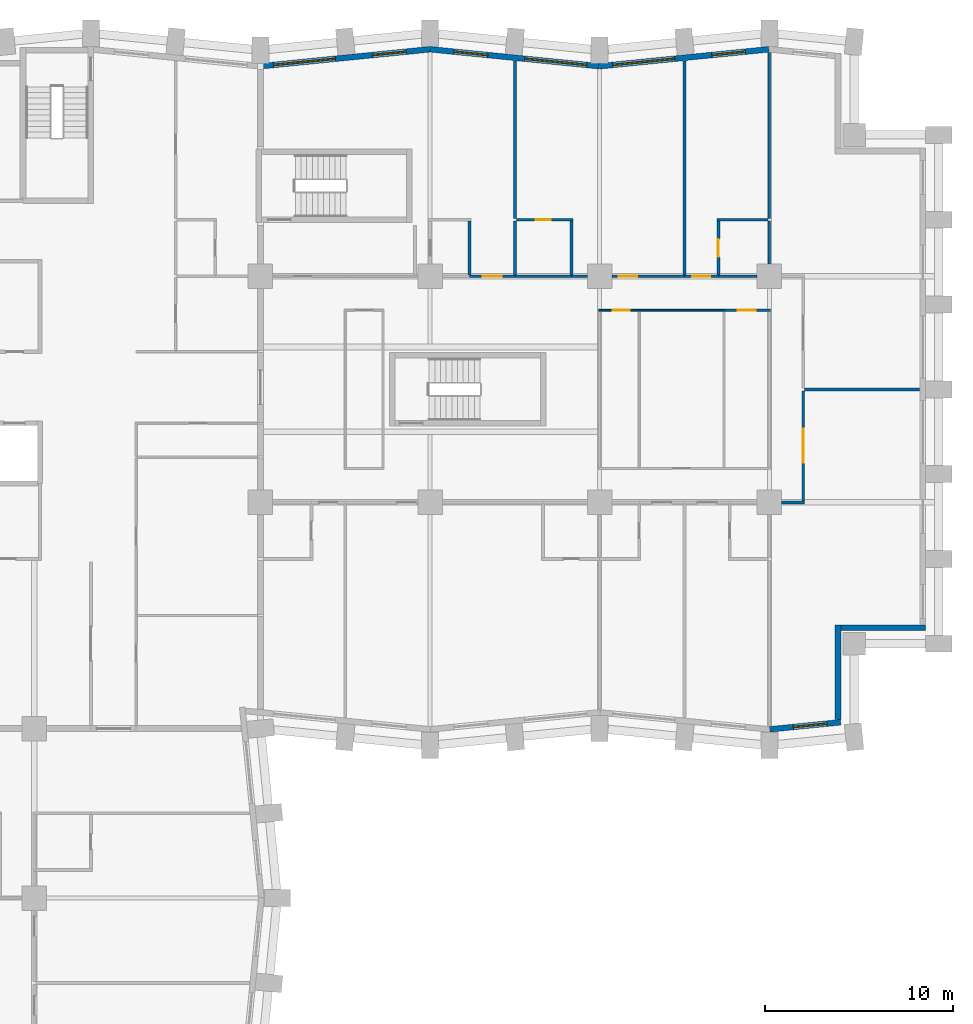
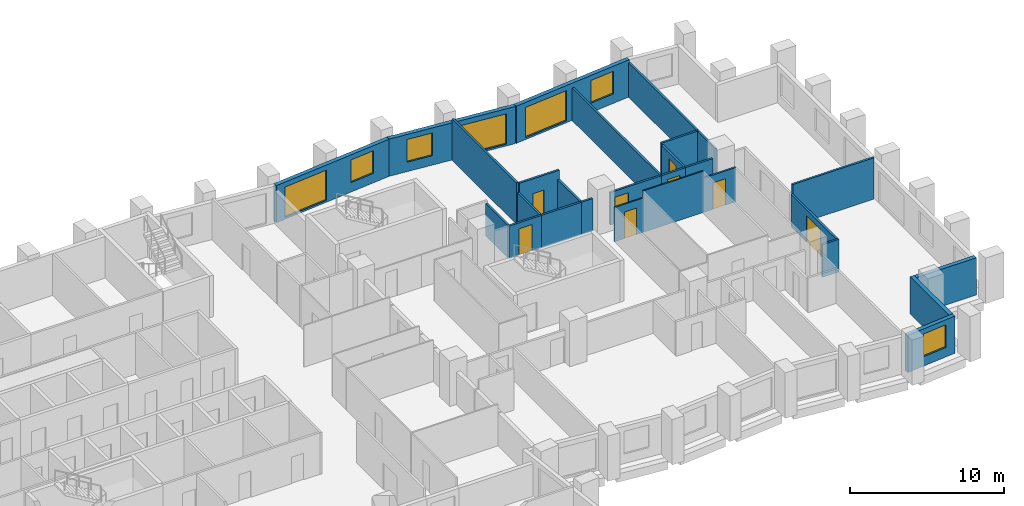
# One storey, part 9 of 12: 28 walls, 8 doors, 7 windows, 15 openings.
"""IFC4 building model written with IfcOpenShell, lengths in metres."""

from ifc_helpers import new_model, si_unit, direction, frame, frame_2d, origin, place, context, subcontext, project, spatial, rectangle, extrude, material, layer, layer_set, type_object, element, fill, save


model = new_model("IFC4")

# Units and contexts
model_context = context("Model", 3, precision=1e-05, world=origin(), true_north=direction((0.0, 1.0)))
body_context = subcontext(model_context, "Body", "Model", "MODEL_VIEW")
ifc_project = project(units=[si_unit("LENGTHUNIT", "METRE"), si_unit("AREAUNIT", "SQUARE_METRE"), si_unit("VOLUMEUNIT", "CUBIC_METRE"), si_unit("PLANEANGLEUNIT", "RADIAN"), si_unit("MASSUNIT", "GRAM", prefix="KILO")], contexts=[model_context])

# Site, building, storey
site_placement = place(None, origin())
site = spatial("IfcSite", under=ifc_project, at=site_placement, CompositionType="ELEMENT")
building_placement = place(site_placement, origin())
building = spatial("IfcBuilding", under=site, at=building_placement, Name="Brondeck Convention Tower", CompositionType="ELEMENT")
storey_placement = place(building_placement, frame((0.0, 0.0, 66.300048828125)))
storey = spatial("IfcBuildingStorey", under=building, at=storey_placement, Name="L14", CompositionType="ELEMENT", Elevation=66.300048828125)

# Wall, opening, window
ifc_material_1 = material(Name="Precast concrete C50/60 bronze finish", Category="concrete")
ifc_layer_1 = layer(ifc_material_1, 0.070068359375, Name="Bronze precast facing")
ifc_material_2 = material(Name="Mineral wool")
ifc_layer_2 = layer(ifc_material_2, 0.159912109375, Name="Insulation")
ifc_material_3 = material(Name="Concrete C35/45", Category="concrete")
ifc_layer_3 = layer(ifc_material_3, 0.070068359375, Name="Backing")
ifc_layer_set_1 = layer_set([ifc_layer_1, ifc_layer_2, ifc_layer_3], Name="External infill wall, precast concrete C50/60 bronze facing")
wall_type_1 = type_object("IfcWallType", Name="External infill wall, precast concrete C50/60 bronze facing", PredefinedType="SOLIDWALL", material=ifc_layer_set_1)
wall_1_placement = place(storey_placement, frame((66.78515625, 27.332763671875, 0.0), z_axis=(0.0, 0.0, 1.0), x_axis=(-0.995038471088, -0.099490909409, 0.0)))
wall_1 = element("IfcWall", 1, at=wall_1_placement, inside=storey, type_object=wall_type_1, Name="ENV-EW-L14-P0-A-S-06", PredefinedType="SOLIDWALL", context=body_context, shape_type="SweptSolid", body=[
    extrude(rectangle(XDim=3.774169921875, YDim=0.300048828125, at=frame_2d((1.88720703125, 0.0))), origin(), (0.0, 0.0, 1.0), 2.949951171875),
])
opening_1_placement = place(wall_1_placement, frame((0.727783203125, 0.0, 0.75)))
opening_1 = element("IfcOpeningElement", 2, at=opening_1_placement, cuts=wall_1, Name="Opening W10", PredefinedType="OPENING", context=body_context, shape_type="SweptSolid", body=[
    extrude(rectangle(XDim=1.800048828125, YDim=1.800048828125, at=frame_2d((0.89990234375, 0.89990234375))), frame((0.0, 0.159912109375, 0.0), z_axis=(0.0, -1.0, 0.0), x_axis=(1.0, 0.0, 0.0)), (0.0, 0.0, 1.0), 0.320068359375),
])
ifc_material_4 = material(Name="Bronze tinted double glazing", Category="glass")
window_type_1 = type_object("IfcWindowType", Name="Punched window, bronze tinted", PartitioningType="SINGLE_PANEL", PredefinedType="WINDOW", material=ifc_material_4)
window_1_placement = place(opening_1_placement, origin())
window_1 = element("IfcWindow", 3, at=window_1_placement, inside=storey, type_object=window_type_1, Name="ENV-WN-L14-P0-A-S-06", OverallHeight=1.800048828125, OverallWidth=1.800048828125, PartitioningType="SINGLE_PANEL", PredefinedType="WINDOW", context=body_context, shape_type="SweptSolid", body=[
    extrude(rectangle(XDim=1.800048828125, YDim=1.800048828125, at=frame_2d((0.89990234375, 0.89990234375))), frame((0.0, 0.030029296875, 0.0), z_axis=(0.0, -1.0, 0.0), x_axis=(1.0, 0.0, 0.0)), (0.0, 0.0, 1.0), 0.06005859375),
])
fill(opening_1, window_1)

# Walls
wall_2_placement = place(storey_placement, frame((66.64990234375, 32.5, 0.0), z_axis=(0.0, 0.0, 1.0), x_axis=(0.0, -1.0, 0.0)))
element("IfcWall", 4, at=wall_2_placement, inside=storey, type_object=wall_type_1, Name="ENV-EW-L14-P0-NC-SEA72-01", PredefinedType="SOLIDWALL", context=body_context, shape_type="SweptSolid", body=[
    extrude(rectangle(XDim=5.02880859375, YDim=0.300048828125, at=frame_2d((2.514404296875, 0.0))), origin(), (0.0, 0.0, 1.0), 2.949951171875),
])
wall_3_placement = place(storey_placement, frame((71.300048828125, 32.35009765625, 0.0), z_axis=(0.0, 0.0, 1.0), x_axis=(-1.0, 0.0, 0.0)))
element("IfcWall", 5, at=wall_3_placement, inside=storey, type_object=wall_type_1, Name="ENV-EW-L14-P0-NC-SEA72-02", PredefinedType="SOLIDWALL", context=body_context, shape_type="SweptSolid", body=[
    extrude(rectangle(XDim=4.5, YDim=0.300048828125, at=frame_2d((2.25, 0.0))), origin(), (0.0, 0.0, 1.0), 2.949951171875),
])

# Wall, openings, windows
wall_4_placement = place(storey_placement, frame((53.985107421875, 62.144287109375, 0.0), z_axis=(0.0, 0.0, 1.0), x_axis=(0.995037993253, 0.099495688264, 0.0)))
wall_4 = element("IfcWall", 6, at=wall_4_placement, inside=storey, type_object=wall_type_1, Name="ENV-EW-L14-P0-A-N-13", PredefinedType="SOLIDWALL", context=body_context, shape_type="SweptSolid", body=[
    extrude(rectangle(XDim=9.030029296875, YDim=0.300048828125, at=frame_2d((4.51513671875, 0.0))), origin(), (0.0, 0.0, 1.0), 2.949951171875),
])
opening_2_placement = place(wall_4_placement, frame((0.711181640625, 0.0, 0.14990234375)))
opening_2 = element("IfcOpeningElement", 7, at=opening_2_placement, cuts=wall_4, Name="Opening W9", PredefinedType="OPENING", context=body_context, shape_type="SweptSolid", body=[
    extrude(rectangle(XDim=3.300048828125, YDim=2.39990234375, at=frame_2d((1.64990234375, 1.199951171875))), frame((0.0, 0.159912109375, 0.0), z_axis=(0.0, -1.0, 0.0), x_axis=(1.0, 0.0, 0.0)), (0.0, 0.0, 1.0), 0.320068359375),
])
opening_3_placement = place(wall_4_placement, frame((5.983642578125, 0.0, 0.75)))
opening_3 = element("IfcOpeningElement", 8, at=opening_3_placement, cuts=wall_4, Name="Opening W10", PredefinedType="OPENING", context=body_context, shape_type="SweptSolid", body=[
    extrude(rectangle(XDim=1.800048828125, YDim=1.800048828125, at=frame_2d((0.89990234375, 0.89990234375))), frame((0.0, 0.159912109375, 0.0), z_axis=(0.0, -1.0, 0.0), x_axis=(1.0, 0.0, 0.0)), (0.0, 0.0, 1.0), 0.320068359375),
])
window_type_2 = type_object("IfcWindowType", Name="Glazed flute window, bronze tinted", PartitioningType="SINGLE_PANEL", PredefinedType="WINDOW", material=ifc_material_4)
window_2_placement = place(opening_2_placement, origin())
window_2 = element("IfcWindow", 9, at=window_2_placement, inside=storey, type_object=window_type_2, Name="ENV-WN-L14-P0-A-N-12", OverallHeight=2.39990234375, OverallWidth=3.300048828125, PartitioningType="SINGLE_PANEL", PredefinedType="WINDOW", context=body_context, shape_type="SweptSolid", body=[
    extrude(rectangle(XDim=3.300048828125, YDim=2.39990234375, at=frame_2d((1.64990234375, 1.199951171875))), frame((0.0, 0.030029296875, 0.0), z_axis=(0.0, -1.0, 0.0), x_axis=(1.0, 0.0, 0.0)), (0.0, 0.0, 1.0), 0.06005859375),
])
fill(opening_2, window_2)
window_3_placement = place(opening_3_placement, origin())
window_3 = element("IfcWindow", 10, at=window_3_placement, inside=storey, type_object=window_type_1, Name="ENV-WN-L14-P0-A-N-13", OverallHeight=1.800048828125, OverallWidth=1.800048828125, PartitioningType="SINGLE_PANEL", PredefinedType="WINDOW", context=body_context, shape_type="SweptSolid", body=[
    extrude(rectangle(XDim=1.800048828125, YDim=1.800048828125, at=frame_2d((0.89990234375, 0.89990234375))), frame((0.0, 0.030029296875, 0.0), z_axis=(0.0, -1.0, 0.0), x_axis=(1.0, 0.0, 0.0)), (0.0, 0.0, 1.0), 0.06005859375),
])
fill(opening_3, window_3)

wall_5_placement = place(storey_placement, frame((44.985107421875, 63.04736328125, 0.0), z_axis=(0.0, 0.0, 1.0), x_axis=(0.995035316196, -0.099522457379, 0.0)))
wall_5 = element("IfcWall", 11, at=wall_5_placement, inside=storey, type_object=wall_type_1, Name="ENV-EW-L14-P0-A-N-11", PredefinedType="SOLIDWALL", context=body_context, shape_type="SweptSolid", body=[
    extrude(rectangle(XDim=9.030029296875, YDim=0.300048828125, at=frame_2d((4.51513671875, 0.0))), origin(), (0.0, 0.0, 1.0), 2.949951171875),
])
opening_4_placement = place(wall_5_placement, frame((1.291259765625, 0.0, 0.75)))
opening_4 = element("IfcOpeningElement", 12, at=opening_4_placement, cuts=wall_5, Name="Opening W10", PredefinedType="OPENING", context=body_context, shape_type="SweptSolid", body=[
    extrude(rectangle(XDim=1.800048828125, YDim=1.800048828125, at=frame_2d((0.89990234375, 0.89990234375))), frame((0.0, 0.159912109375, 0.0), z_axis=(0.0, -1.0, 0.0), x_axis=(1.0, 0.0, 0.0)), (0.0, 0.0, 1.0), 0.320068359375),
])
opening_5_placement = place(wall_5_placement, frame((5.063720703125, 0.0, 0.14990234375)))
opening_5 = element("IfcOpeningElement", 13, at=opening_5_placement, cuts=wall_5, Name="Opening W9", PredefinedType="OPENING", context=body_context, shape_type="SweptSolid", body=[
    extrude(rectangle(XDim=3.300048828125, YDim=2.39990234375, at=frame_2d((1.64990234375, 1.199951171875))), frame((0.0, 0.159912109375, 0.0), z_axis=(0.0, -1.0, 0.0), x_axis=(1.0, 0.0, 0.0)), (0.0, 0.0, 1.0), 0.320068359375),
])
window_4_placement = place(opening_5_placement, origin())
window_4 = element("IfcWindow", 14, at=window_4_placement, inside=storey, type_object=window_type_2, Name="ENV-WN-L14-P0-A-N-11", OverallHeight=2.39990234375, OverallWidth=3.300048828125, PartitioningType="SINGLE_PANEL", PredefinedType="WINDOW", context=body_context, shape_type="SweptSolid", body=[
    extrude(rectangle(XDim=3.300048828125, YDim=2.39990234375, at=frame_2d((1.64990234375, 1.199951171875))), frame((0.0, 0.030029296875, 0.0), z_axis=(0.0, -1.0, 0.0), x_axis=(1.0, 0.0, 0.0)), (0.0, 0.0, 1.0), 0.06005859375),
])
fill(opening_5, window_4)
window_5_placement = place(opening_4_placement, origin())
window_5 = element("IfcWindow", 15, at=window_5_placement, inside=storey, type_object=window_type_1, Name="ENV-WN-L14-P0-A-N-10", OverallHeight=1.800048828125, OverallWidth=1.800048828125, PartitioningType="SINGLE_PANEL", PredefinedType="WINDOW", context=body_context, shape_type="SweptSolid", body=[
    extrude(rectangle(XDim=1.800048828125, YDim=1.800048828125, at=frame_2d((0.89990234375, 0.89990234375))), frame((0.0, 0.030029296875, 0.0), z_axis=(0.0, -1.0, 0.0), x_axis=(1.0, 0.0, 0.0)), (0.0, 0.0, 1.0), 0.06005859375),
])
fill(opening_4, window_5)

wall_6_placement = place(storey_placement, frame((35.985107421875, 62.144287109375, 0.0), z_axis=(0.0, 0.0, 1.0), x_axis=(0.995037993253, 0.099495688264, 0.0)))
wall_6 = element("IfcWall", 16, at=wall_6_placement, inside=storey, type_object=wall_type_1, Name="ENV-EW-L14-P0-A-N-09", PredefinedType="SOLIDWALL", context=body_context, shape_type="SweptSolid", body=[
    extrude(rectangle(XDim=9.030029296875, YDim=0.300048828125, at=frame_2d((4.51513671875, 0.0))), origin(), (0.0, 0.0, 1.0), 2.949951171875),
])
opening_6_placement = place(wall_6_placement, frame((0.711181640625, 0.0, 0.14990234375)))
opening_6 = element("IfcOpeningElement", 17, at=opening_6_placement, cuts=wall_6, Name="Opening W9", PredefinedType="OPENING", context=body_context, shape_type="SweptSolid", body=[
    extrude(rectangle(XDim=3.300048828125, YDim=2.39990234375, at=frame_2d((1.64990234375, 1.199951171875))), frame((0.0, 0.159912109375, 0.0), z_axis=(0.0, -1.0, 0.0), x_axis=(1.0, 0.0, 0.0)), (0.0, 0.0, 1.0), 0.320068359375),
])
opening_7_placement = place(wall_6_placement, frame((5.983642578125, 0.0, 0.75)))
opening_7 = element("IfcOpeningElement", 18, at=opening_7_placement, cuts=wall_6, Name="Opening W10", PredefinedType="OPENING", context=body_context, shape_type="SweptSolid", body=[
    extrude(rectangle(XDim=1.800048828125, YDim=1.800048828125, at=frame_2d((0.89990234375, 0.89990234375))), frame((0.0, 0.159912109375, 0.0), z_axis=(0.0, -1.0, 0.0), x_axis=(1.0, 0.0, 0.0)), (0.0, 0.0, 1.0), 0.320068359375),
])
window_6_placement = place(opening_6_placement, origin())
window_6 = element("IfcWindow", 19, at=window_6_placement, inside=storey, type_object=window_type_2, Name="ENV-WN-L14-P0-A-N-08", OverallHeight=2.39990234375, OverallWidth=3.300048828125, PartitioningType="SINGLE_PANEL", PredefinedType="WINDOW", context=body_context, shape_type="SweptSolid", body=[
    extrude(rectangle(XDim=3.300048828125, YDim=2.39990234375, at=frame_2d((1.64990234375, 1.199951171875))), frame((0.0, 0.030029296875, 0.0), z_axis=(0.0, -1.0, 0.0), x_axis=(1.0, 0.0, 0.0)), (0.0, 0.0, 1.0), 0.06005859375),
])
fill(opening_6, window_6)
window_7_placement = place(opening_7_placement, origin())
window_7 = element("IfcWindow", 20, at=window_7_placement, inside=storey, type_object=window_type_1, Name="ENV-WN-L14-P0-A-N-09", OverallHeight=1.800048828125, OverallWidth=1.800048828125, PartitioningType="SINGLE_PANEL", PredefinedType="WINDOW", context=body_context, shape_type="SweptSolid", body=[
    extrude(rectangle(XDim=1.800048828125, YDim=1.800048828125, at=frame_2d((0.89990234375, 0.89990234375))), frame((0.0, 0.030029296875, 0.0), z_axis=(0.0, -1.0, 0.0), x_axis=(1.0, 0.0, 0.0)), (0.0, 0.0, 1.0), 0.06005859375),
])
fill(opening_7, window_7)

# Wall
ifc_material_5 = material(Name="Double gypsum board acoustic wall")
ifc_layer_4 = layer(ifc_material_5, 0.14990234375)
ifc_layer_set_2 = layer_set([ifc_layer_4], Name="Guest room party wall 150")
wall_type_2 = type_object("IfcWallType", Name="Guest room party wall 150", PredefinedType="PARTITIONING", material=ifc_layer_set_2)
wall_7_placement = place(storey_placement, frame((64.875, 39.0, 0.0), z_axis=(0.0, 0.0, 1.0), x_axis=(-1.0, 0.0, 0.0)))
element("IfcWall", 21, at=wall_7_placement, inside=storey, type_object=wall_type_2, Name="FLR-L14-W072", PredefinedType="PARTITIONING", context=body_context, shape_type="SweptSolid", body=[
    extrude(rectangle(XDim=1.219970703125, YDim=0.14990234375, at=frame_2d((0.60986328125, 0.0))), origin(), (0.0, 0.0, 1.0), 2.579833984375),
])

# Wall, opening, door
wall_8_placement = place(storey_placement, frame((64.800048828125, 44.925048828125, 0.0), z_axis=(0.0, 0.0, 1.0), x_axis=(0.0, -1.0, 0.0)))
wall_8 = element("IfcWall", 22, at=wall_8_placement, inside=storey, type_object=wall_type_2, Name="FLR-L14-W084", PredefinedType="PARTITIONING", context=body_context, shape_type="SweptSolid", body=[
    extrude(rectangle(XDim=5.85009765625, YDim=0.14990234375, at=frame_2d((2.925048828125, 0.0))), origin(), (0.0, 0.0, 1.0), 2.579833984375),
])
opening_8_placement = place(wall_8_placement, frame((2.02490234375, 0.0, 0.0)))
opening_8 = element("IfcOpeningElement", 23, at=opening_8_placement, cuts=wall_8, Name="Opening H3-021", PredefinedType="OPENING", context=body_context, shape_type="SweptSolid", body=[
    extrude(rectangle(XDim=1.800048828125, YDim=2.10009765625, at=frame_2d((0.89990234375, 1.050048828125))), frame((0.0, 0.0849609375, 0.0), z_axis=(0.0, -1.0, 0.0), x_axis=(1.0, 0.0, 0.0)), (0.0, 0.0, 1.0), 0.169921875),
])
ifc_material_6 = material(Name="Glazed timber double door", Category="wood")
door_type_1 = type_object("IfcDoorType", Name="Double door 1800", OperationType="DOUBLE_DOOR_SINGLE_SWING", PredefinedType="DOOR", material=ifc_material_6)
door_1_placement = place(opening_8_placement, origin())
door_1 = element("IfcDoor", 24, at=door_1_placement, inside=storey, type_object=door_type_1, Name="Door H3-021", OperationType="DOUBLE_DOOR_SINGLE_SWING", OverallHeight=2.10009765625, OverallWidth=1.800048828125, PredefinedType="DOOR", context=body_context, shape_type="SweptSolid", body=[
    extrude(rectangle(XDim=1.800048828125, YDim=2.10009765625, at=frame_2d((0.89990234375, 1.050048828125))), frame((0.0, 0.02490234375, 0.0), z_axis=(0.0, -1.0, 0.0), x_axis=(1.0, 0.0, 0.0)), (0.0, 0.0, 1.0), 0.050048828125),
])
fill(opening_8, door_1)

# Wall
wall_9_placement = place(storey_placement, frame((70.97998046875, 45.0, 0.0), z_axis=(0.0, 0.0, 1.0), x_axis=(-1.0, 0.0, 0.0)))
element("IfcWall", 25, at=wall_9_placement, inside=storey, type_object=wall_type_2, Name="FLR-L14-W085", PredefinedType="PARTITIONING", context=body_context, shape_type="SweptSolid", body=[
    extrude(rectangle(XDim=6.10498046875, YDim=0.14990234375, at=frame_2d((3.052490234375, 0.0))), origin(), (0.0, 0.0, 1.0), 3.280029296875),
])

# Wall, opening, door
wall_10_placement = place(storey_placement, frame((47.10009765625, 51.0, 0.0), z_axis=(0.0, 0.0, 1.0), x_axis=(1.0, 0.0, 0.0)))
wall_10 = element("IfcWall", 26, at=wall_10_placement, inside=storey, type_object=wall_type_2, Name="FLR-L14-W106", PredefinedType="PARTITIONING", context=body_context, shape_type="SweptSolid", body=[
    extrude(rectangle(XDim=2.39990234375, YDim=0.14990234375, at=frame_2d((1.199951171875, 0.0))), origin(), (0.0, 0.0, 1.0), 2.579833984375),
])
opening_9_placement = place(wall_10_placement, frame((0.699951171875, 0.0, 0.0)))
opening_9 = element("IfcOpeningElement", 27, at=opening_9_placement, cuts=wall_10, Name="Opening H3-002", PredefinedType="OPENING", context=body_context, shape_type="SweptSolid", body=[
    extrude(rectangle(XDim=1.0, YDim=2.10009765625, at=frame_2d((0.5, 1.050048828125))), frame((0.0, 0.0849609375, 0.0), z_axis=(0.0, -1.0, 0.0), x_axis=(1.0, 0.0, 0.0)), (0.0, 0.0, 1.0), 0.169921875),
])
ifc_material_7 = material(Name="Solid timber fire door leaf", Category="wood")
door_type_2 = type_object("IfcDoorType", Name="Guest room door 1000", OperationType="NOTDEFINED", PredefinedType="DOOR", material=ifc_material_7)
door_2_placement = place(opening_9_placement, origin())
door_2 = element("IfcDoor", 28, at=door_2_placement, inside=storey, type_object=door_type_2, Name="Door H3-002", OperationType="SINGLE_SWING_LEFT", OverallHeight=2.10009765625, OverallWidth=1.0, PredefinedType="DOOR", context=body_context, shape_type="SweptSolid", body=[
    extrude(rectangle(XDim=1.0, YDim=2.10009765625, at=frame_2d((0.5, 1.050048828125))), frame((0.0, 0.02490234375, 0.0), z_axis=(0.0, -1.0, 0.0), x_axis=(1.0, 0.0, 0.0)), (0.0, 0.0, 1.0), 0.050048828125),
])
fill(opening_9, door_2)

# Walls
wall_11_placement = place(storey_placement, frame((49.5, 51.0, 0.0), z_axis=(0.0, 0.0, 1.0), x_axis=(1.0, 0.0, 0.0)))
element("IfcWall", 29, at=wall_11_placement, inside=storey, type_object=wall_type_2, Name="FLR-L14-W107", PredefinedType="PARTITIONING", context=body_context, shape_type="SweptSolid", body=[
    extrude(rectangle(XDim=3.0, YDim=0.14990234375, at=frame_2d((1.5, 0.0))), origin(), (0.0, 0.0, 1.0), 2.579833984375),
])
wall_12_placement = place(storey_placement, frame((52.5, 51.0, 0.0), z_axis=(0.0, 0.0, 1.0), x_axis=(1.0, 0.0, 0.0)))
element("IfcWall", 30, at=wall_12_placement, inside=storey, type_object=wall_type_2, Name="FLR-L14-W108", PredefinedType="PARTITIONING", context=body_context, shape_type="SweptSolid", body=[
    extrude(rectangle(XDim=0.844970703125, YDim=0.14990234375, at=frame_2d((0.42236328125, 0.0))), origin(), (0.0, 0.0, 1.0), 2.579833984375),
])

# Wall, opening, door
wall_13_placement = place(storey_placement, frame((54.655029296875, 51.0, 0.0), z_axis=(0.0, 0.0, 1.0), x_axis=(1.0, 0.0, 0.0)))
wall_13 = element("IfcWall", 31, at=wall_13_placement, inside=storey, type_object=wall_type_2, Name="FLR-L14-W109", PredefinedType="PARTITIONING", context=body_context, shape_type="SweptSolid", body=[
    extrude(rectangle(XDim=3.844970703125, YDim=0.14990234375, at=frame_2d((1.92236328125, 0.0))), origin(), (0.0, 0.0, 1.0), 2.579833984375),
])
opening_10_placement = place(wall_13_placement, frame((0.344970703125, 0.0, 0.0)))
opening_10 = element("IfcOpeningElement", 32, at=opening_10_placement, cuts=wall_13, Name="Opening H3-004", PredefinedType="OPENING", context=body_context, shape_type="SweptSolid", body=[
    extrude(rectangle(XDim=1.0, YDim=2.10009765625, at=frame_2d((0.5, 1.050048828125))), frame((0.0, 0.0849609375, 0.0), z_axis=(0.0, -1.0, 0.0), x_axis=(1.0, 0.0, 0.0)), (0.0, 0.0, 1.0), 0.169921875),
])
door_3_placement = place(opening_10_placement, origin())
door_3 = element("IfcDoor", 33, at=door_3_placement, inside=storey, type_object=door_type_2, Name="Door H3-004", OperationType="SINGLE_SWING_RIGHT", OverallHeight=2.10009765625, OverallWidth=1.0, PredefinedType="DOOR", context=body_context, shape_type="SweptSolid", body=[
    extrude(rectangle(XDim=1.0, YDim=2.10009765625, at=frame_2d((0.5, 1.050048828125))), frame((0.0, 0.02490234375, 0.0), z_axis=(0.0, -1.0, 0.0), x_axis=(1.0, 0.0, 0.0)), (0.0, 0.0, 1.0), 0.050048828125),
])
fill(opening_10, door_3)

wall_14_placement = place(storey_placement, frame((58.5, 51.0, 0.0), z_axis=(0.0, 0.0, 1.0), x_axis=(1.0, 0.0, 0.0)))
wall_14 = element("IfcWall", 34, at=wall_14_placement, inside=storey, type_object=wall_type_2, Name="FLR-L14-W110", PredefinedType="PARTITIONING", context=body_context, shape_type="SweptSolid", body=[
    extrude(rectangle(XDim=1.800048828125, YDim=0.14990234375, at=frame_2d((0.89990234375, 0.0))), origin(), (0.0, 0.0, 1.0), 2.579833984375),
])
opening_11_placement = place(wall_14_placement, frame((0.425048828125, 0.0, 0.0)))
opening_11 = element("IfcOpeningElement", 35, at=opening_11_placement, cuts=wall_14, Name="Opening H3-006", PredefinedType="OPENING", context=body_context, shape_type="SweptSolid", body=[
    extrude(rectangle(XDim=0.949951171875, YDim=2.10009765625, at=frame_2d((0.47509765625, 1.050048828125))), frame((0.0, 0.0849609375, 0.0), z_axis=(0.0, -1.0, 0.0), x_axis=(1.0, 0.0, 0.0)), (0.0, 0.0, 1.0), 0.169921875),
])
ifc_material_8 = material(Name="Solid timber door leaf", Category="wood")
door_type_3 = type_object("IfcDoorType", Name="Accessible door 950", OperationType="NOTDEFINED", PredefinedType="DOOR", material=ifc_material_8)
door_4_placement = place(opening_11_placement, origin())
door_4 = element("IfcDoor", 36, at=door_4_placement, inside=storey, type_object=door_type_3, Name="Door H3-006", OperationType="SINGLE_SWING_LEFT", OverallHeight=2.10009765625, OverallWidth=0.949951171875, PredefinedType="DOOR", context=body_context, shape_type="SweptSolid", body=[
    extrude(rectangle(XDim=0.949951171875, YDim=2.10009765625, at=frame_2d((0.47509765625, 1.050048828125))), frame((0.0, 0.02490234375, 0.0), z_axis=(0.0, -1.0, 0.0), x_axis=(1.0, 0.0, 0.0)), (0.0, 0.0, 1.0), 0.050048828125),
])
fill(opening_11, door_4)

# Walls
wall_15_placement = place(storey_placement, frame((60.300048828125, 51.0, 0.0), z_axis=(0.0, 0.0, 1.0), x_axis=(1.0, 0.0, 0.0)))
element("IfcWall", 37, at=wall_15_placement, inside=storey, type_object=wall_type_2, Name="FLR-L14-W111", PredefinedType="PARTITIONING", context=body_context, shape_type="SweptSolid", body=[
    extrude(rectangle(XDim=2.044921875, YDim=0.14990234375, at=frame_2d((1.0224609375, 0.0))), origin(), (0.0, 0.0, 1.0), 2.579833984375),
])
for number, where, z_axis, x_axis, name in (
    (38, (47.10009765625, 51.074951171875, 0.0), (0.0, 0.0, 1.0), (0.0, 1.0, 0.0), "FLR-L14-W114"),
    (39, (52.5, 51.074951171875, 0.0), (0.0, 0.0, 1.0), (0.0, 1.0, 0.0), "FLR-L14-W115"),
    (40, (49.5, 53.925048828125, 0.0), (0.0, 0.0, 1.0), (0.0, -1.0, 0.0), "FLR-L14-W120"),
):
    element("IfcWall", number, at=place(storey_placement, frame(where, z_axis=z_axis, x_axis=x_axis)), inside=storey, type_object=wall_type_2, Name=name, PredefinedType="PARTITIONING", context=body_context, shape_type="SweptSolid", body=[
        extrude(rectangle(XDim=2.85009765625, YDim=0.14990234375, at=frame_2d((1.425048828125, 0.0))), origin(), (0.0, 0.0, 1.0), 2.579833984375),
    ])

# Wall, opening, door
wall_16_placement = place(storey_placement, frame((60.300048828125, 53.925048828125, 0.0), z_axis=(0.0, 0.0, 1.0), x_axis=(0.0, -1.0, 0.0)))
wall_16 = element("IfcWall", 41, at=wall_16_placement, inside=storey, type_object=wall_type_2, Name="FLR-L14-W121", PredefinedType="PARTITIONING", context=body_context, shape_type="SweptSolid", body=[
    extrude(rectangle(XDim=2.85009765625, YDim=0.14990234375, at=frame_2d((1.425048828125, 0.0))), origin(), (0.0, 0.0, 1.0), 2.579833984375),
])
opening_12_placement = place(wall_16_placement, frame((0.949951171875, 0.0, 0.0)))
opening_12 = element("IfcOpeningElement", 42, at=opening_12_placement, cuts=wall_16, Name="Opening H3-007", PredefinedType="OPENING", context=body_context, shape_type="SweptSolid", body=[
    extrude(rectangle(XDim=0.949951171875, YDim=2.10009765625, at=frame_2d((0.47509765625, 1.050048828125))), frame((0.0, 0.0849609375, 0.0), z_axis=(0.0, -1.0, 0.0), x_axis=(1.0, 0.0, 0.0)), (0.0, 0.0, 1.0), 0.169921875),
])
door_5_placement = place(opening_12_placement, origin())
door_5 = element("IfcDoor", 43, at=door_5_placement, inside=storey, type_object=door_type_3, Name="Door H3-007", OperationType="SINGLE_SWING_LEFT", OverallHeight=2.10009765625, OverallWidth=0.949951171875, PredefinedType="DOOR", context=body_context, shape_type="SweptSolid", body=[
    extrude(rectangle(XDim=0.949951171875, YDim=2.10009765625, at=frame_2d((0.47509765625, 1.050048828125))), frame((0.0, 0.02490234375, 0.0), z_axis=(0.0, -1.0, 0.0), x_axis=(1.0, 0.0, 0.0)), (0.0, 0.0, 1.0), 0.050048828125),
])
fill(opening_12, door_5)

# Wall
wall_17_placement = place(storey_placement, frame((63.0, 53.925048828125, 0.0), z_axis=(0.0, 0.0, 1.0), x_axis=(0.0, -1.0, 0.0)))
element("IfcWall", 44, at=wall_17_placement, inside=storey, type_object=wall_type_2, Name="FLR-L14-W122", PredefinedType="PARTITIONING", context=body_context, shape_type="SweptSolid", body=[
    extrude(rectangle(XDim=2.27001953125, YDim=0.14990234375, at=frame_2d((1.135009765625, 0.0))), origin(), (0.0, 0.0, 1.0), 2.72998046875),
])

# Wall, opening, door
wall_18_placement = place(storey_placement, frame((52.574951171875, 54.0, 0.0), z_axis=(0.0, 0.0, 1.0), x_axis=(-1.0, 0.0, 0.0)))
wall_18 = element("IfcWall", 45, at=wall_18_placement, inside=storey, type_object=wall_type_2, Name="FLR-L14-W125", PredefinedType="PARTITIONING", context=body_context, shape_type="SweptSolid", body=[
    extrude(rectangle(XDim=3.0, YDim=0.14990234375, at=frame_2d((1.5, 0.0))), origin(), (0.0, 0.0, 1.0), 3.280029296875),
])
opening_13_placement = place(wall_18_placement, frame((1.175048828125, 0.0, 0.0)))
opening_13 = element("IfcOpeningElement", 46, at=opening_13_placement, cuts=wall_18, Name="Opening H3-005", PredefinedType="OPENING", context=body_context, shape_type="SweptSolid", body=[
    extrude(rectangle(XDim=0.800048828125, YDim=2.10009765625, at=frame_2d((0.39990234375, 1.050048828125))), frame((0.0, 0.0849609375, 0.0), z_axis=(0.0, -1.0, 0.0), x_axis=(1.0, 0.0, 0.0)), (0.0, 0.0, 1.0), 0.169921875),
])
door_type_4 = type_object("IfcDoorType", Name="En-suite door 800", OperationType="NOTDEFINED", PredefinedType="DOOR", material=ifc_material_8)
door_6_placement = place(opening_13_placement, origin())
door_6 = element("IfcDoor", 47, at=door_6_placement, inside=storey, type_object=door_type_4, Name="Door H3-005", OperationType="SINGLE_SWING_RIGHT", OverallHeight=2.10009765625, OverallWidth=0.800048828125, PredefinedType="DOOR", context=body_context, shape_type="SweptSolid", body=[
    extrude(rectangle(XDim=0.800048828125, YDim=2.10009765625, at=frame_2d((0.39990234375, 1.050048828125))), frame((0.0, 0.02490234375, 0.0), z_axis=(0.0, -1.0, 0.0), x_axis=(1.0, 0.0, 0.0)), (0.0, 0.0, 1.0), 0.050048828125),
])
fill(opening_13, door_6)

# Walls
wall_19_placement = place(storey_placement, frame((62.925048828125, 54.0, 0.0), z_axis=(0.0, 0.0, 1.0), x_axis=(-1.0, 0.0, 0.0)))
element("IfcWall", 48, at=wall_19_placement, inside=storey, type_object=wall_type_2, Name="FLR-L14-W126", PredefinedType="PARTITIONING", context=body_context, shape_type="SweptSolid", body=[
    extrude(rectangle(XDim=2.699951171875, YDim=0.14990234375, at=frame_2d((1.35009765625, 0.0))), origin(), (0.0, 0.0, 1.0), 2.72998046875),
])
wall_20_placement = place(storey_placement, frame((49.5, 62.425048828125, 0.0), z_axis=(0.0, 0.0, 1.0), x_axis=(0.0, -1.0, 0.0)))
element("IfcWall", 49, at=wall_20_placement, inside=storey, type_object=wall_type_2, Name="FLR-L14-W129", PredefinedType="PARTITIONING", context=body_context, shape_type="SweptSolid", body=[
    extrude(rectangle(XDim=8.35009765625, YDim=0.14990234375, at=frame_2d((4.175048828125, 0.0))), origin(), (0.0, 0.0, 1.0), 3.280029296875),
])
wall_21_placement = place(storey_placement, frame((58.5, 62.425048828125, 0.0), z_axis=(0.0, 0.0, 1.0), x_axis=(0.0, -1.0, 0.0)))
element("IfcWall", 50, at=wall_21_placement, inside=storey, type_object=wall_type_2, Name="FLR-L14-W130", PredefinedType="PARTITIONING", context=body_context, shape_type="SweptSolid", body=[
    extrude(rectangle(XDim=11.35009765625, YDim=0.14990234375, at=frame_2d((5.675048828125, 0.0))), origin(), (0.0, 0.0, 1.0), 2.579833984375),
])
wall_22_placement = place(storey_placement, frame((63.0, 62.875, 0.0), z_axis=(0.0, 0.0, 1.0), x_axis=(0.0, -1.0, 0.0)))
element("IfcWall", 51, at=wall_22_placement, inside=storey, type_object=wall_type_2, Name="FLR-L14-W131", PredefinedType="PARTITIONING", context=body_context, shape_type="SweptSolid", body=[
    extrude(rectangle(XDim=8.800048828125, YDim=0.14990234375, at=frame_2d((4.39990234375, 0.0))), origin(), (0.0, 0.0, 1.0), 2.72998046875),
])

# Wall, opening, door
ifc_material_9 = material(Name="Gypsum board shaft wall on steel studs", Category="steel")
ifc_layer_5 = layer(ifc_material_9, 0.125)
ifc_layer_set_3 = layer_set([ifc_layer_5], Name="Riser wall 125")
wall_type_3 = type_object("IfcWallType", Name="Riser wall 125", PredefinedType="PARTITIONING", material=ifc_layer_set_3)
wall_23_placement = place(storey_placement, frame((63.0625, 49.199951171875, 0.0), z_axis=(0.0, 0.0, 1.0), x_axis=(-1.0, 0.0, 0.0)))
wall_23 = element("IfcWall", 52, at=wall_23_placement, inside=storey, type_object=wall_type_3, Name="FLR-L14-W097", PredefinedType="PARTITIONING", context=body_context, shape_type="SweptSolid", body=[
    extrude(rectangle(XDim=2.46240234375, YDim=0.125, at=frame_2d((1.231201171875, 0.0))), origin(), (0.0, 0.0, 1.0), 2.72998046875),
])
opening_14_placement = place(wall_23_placement, frame((0.78759765625, 0.0, 0.0)))
opening_14 = element("IfcOpeningElement", 53, at=opening_14_placement, cuts=wall_23, Name="Opening H3-019", PredefinedType="OPENING", context=body_context, shape_type="SweptSolid", body=[
    extrude(rectangle(XDim=0.949951171875, YDim=2.10009765625, at=frame_2d((0.47509765625, 1.050048828125))), frame((0.0, 0.072509765625, 0.0), z_axis=(0.0, -1.0, 0.0), x_axis=(1.0, 0.0, 0.0)), (0.0, 0.0, 1.0), 0.14501953125),
])
door_7_placement = place(opening_14_placement, origin())
door_7 = element("IfcDoor", 54, at=door_7_placement, inside=storey, type_object=door_type_3, Name="Door H3-019", OperationType="SINGLE_SWING_RIGHT", OverallHeight=2.10009765625, OverallWidth=0.949951171875, PredefinedType="DOOR", context=body_context, shape_type="SweptSolid", body=[
    extrude(rectangle(XDim=0.949951171875, YDim=2.10009765625, at=frame_2d((0.47509765625, 1.050048828125))), frame((0.0, 0.02490234375, 0.0), z_axis=(0.0, -1.0, 0.0), x_axis=(1.0, 0.0, 0.0)), (0.0, 0.0, 1.0), 0.050048828125),
])
fill(opening_14, door_7)

ifc_material_10 = material(Name="Gypsum board partition on steel studs", Category="steel")
ifc_layer_6 = layer(ifc_material_10, 0.10009765625)
ifc_layer_set_4 = layer_set([ifc_layer_6], Name="Room partition 100")
wall_type_4 = type_object("IfcWallType", Name="Room partition 100", PredefinedType="PARTITIONING", material=ifc_layer_set_4)
wall_24_placement = place(storey_placement, frame((56.10009765625, 49.199951171875, 0.0), z_axis=(0.0, 0.0, 1.0), x_axis=(-1.0, 0.0, 0.0)))
wall_24 = element("IfcWall", 55, at=wall_24_placement, inside=storey, type_object=wall_type_4, Name="FLR-L14-W095", PredefinedType="PARTITIONING", context=body_context, shape_type="SweptSolid", body=[
    extrude(rectangle(XDim=2.150146484375, YDim=0.10009765625, at=frame_2d((1.0751953125, 0.0))), origin(), (0.0, 0.0, 1.0), 2.72998046875),
])
opening_15_placement = place(wall_24_placement, frame((0.5, 0.0, 0.0)))
opening_15 = element("IfcOpeningElement", 56, at=opening_15_placement, cuts=wall_24, Name="Opening H3-017", PredefinedType="OPENING", context=body_context, shape_type="SweptSolid", body=[
    extrude(rectangle(XDim=0.89990234375, YDim=2.10009765625, at=frame_2d((0.449951171875, 1.050048828125))), frame((0.0, 0.06005859375, 0.0), z_axis=(0.0, -1.0, 0.0), x_axis=(1.0, 0.0, 0.0)), (0.0, 0.0, 1.0), 0.1201171875),
])
door_type_5 = type_object("IfcDoorType", Name="Single door 900", OperationType="NOTDEFINED", PredefinedType="DOOR", material=ifc_material_8)
door_8_placement = place(opening_15_placement, origin())
door_8 = element("IfcDoor", 57, at=door_8_placement, inside=storey, type_object=door_type_5, Name="Door H3-017", OperationType="SINGLE_SWING_LEFT", OverallHeight=2.10009765625, OverallWidth=0.89990234375, PredefinedType="DOOR", context=body_context, shape_type="SweptSolid", body=[
    extrude(rectangle(XDim=0.89990234375, YDim=2.10009765625, at=frame_2d((0.449951171875, 1.050048828125))), frame((0.0, 0.02490234375, 0.0), z_axis=(0.0, -1.0, 0.0), x_axis=(1.0, 0.0, 0.0)), (0.0, 0.0, 1.0), 0.050048828125),
])
fill(opening_15, door_8)

# Wall
wall_25_placement = place(storey_placement, frame((60.60009765625, 49.199951171875, 0.0), z_axis=(0.0, 0.0, 1.0), x_axis=(-1.0, 0.0, 0.0)))
element("IfcWall", 58, at=wall_25_placement, inside=storey, type_object=wall_type_4, Name="FLR-L14-W096", PredefinedType="PARTITIONING", context=body_context, shape_type="SweptSolid", body=[
    extrude(rectangle(XDim=4.5, YDim=0.10009765625, at=frame_2d((2.25, 0.0))), origin(), (0.0, 0.0, 1.0), 3.280029296875),
])

save(model, "model.ifc")
